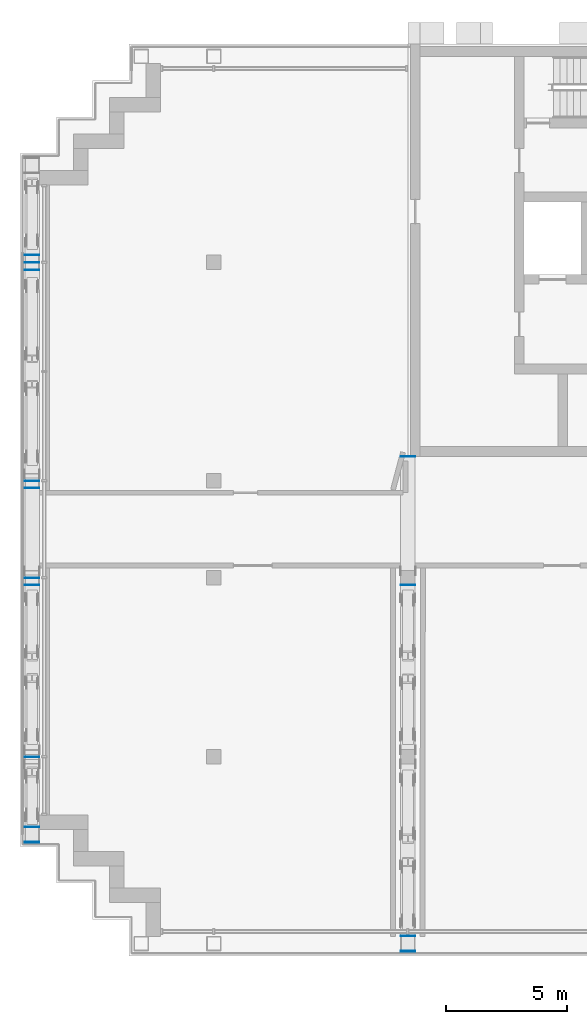
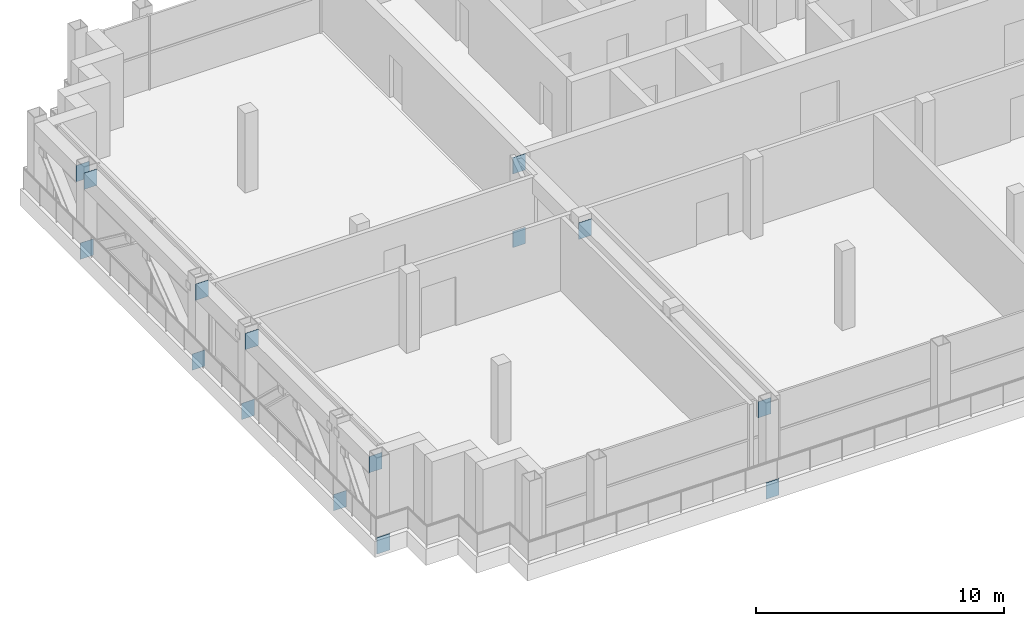
# One storey, part 10 of 21: 15 discrete accessories.
"""IFC4 building model written with IfcOpenShell, lengths in metres."""

from ifc_helpers import new_model, si_unit, direction, frame, origin, origin_2d, place, context, subcontext, project, spatial, rectangle, extrude, element, save


model = new_model("IFC4")

# Units and contexts
model_context = context("Model", 3, precision=1e-05, world=origin(), true_north=direction((0.0, 1.0)))
body_context = subcontext(model_context, "Body", "Model", "MODEL_VIEW")
ifc_project = project(units=[si_unit("LENGTHUNIT", "METRE"), si_unit("AREAUNIT", "SQUARE_METRE"), si_unit("VOLUMEUNIT", "CUBIC_METRE"), si_unit("PLANEANGLEUNIT", "RADIAN"), si_unit("MASSUNIT", "GRAM", prefix="KILO")], contexts=[model_context])

# Site, building, storey
site_placement = place(None, origin())
site = spatial("IfcSite", under=ifc_project, at=site_placement, CompositionType="ELEMENT")
building_placement = place(site_placement, origin())
building = spatial("IfcBuilding", under=site, at=building_placement, Name="Vidyagriha Tower", CompositionType="ELEMENT")
storey_placement = place(building_placement, frame((0.0, 0.0, 203.699951171875)))
storey = spatial("IfcBuildingStorey", under=building, at=storey_placement, Name="L52", CompositionType="ELEMENT", Elevation=203.699951171875)

# Discrete accessories
for number, where, z_axis, x_axis, name in (
    (1, (-29.5, -12.9150390625, -0.7998046875), (0.0, 0.0, 1.0), (0.0, -1.0, 0.0), "Chord end plate"),
    (2, (-14.0, -17.4150390625, -0.7998046875), (0.0, 0.0, 1.0), (0.0, -1.0, 0.0), "Chord end plate"),
):
    element("IfcDiscreteAccessory", number, at=place(storey_placement, frame(where, z_axis=z_axis, x_axis=x_axis)), inside=storey, Name=name, ObjectType="END PLATE", PredefinedType="USERDEFINED", context=body_context, shape_type="SweptSolid", body=[
        extrude(rectangle(XDim=0.030029296875, YDim=0.60009765625, at=origin_2d()), origin(), (0.0, 0.0, 1.0), 0.800048828125),
    ])
for number, where, z_axis, x_axis, name in (
    (3, (-29.5, -9.409912109375, -0.7998046875), (0.0, 0.0, 1.0), (0.0, 1.0, 0.0), "End plate ASTM A572 Grade 50 20mm"),
    (4, (-29.5, -12.290283203125, 2.81982421875), (0.0, 0.0, 1.0), (0.0, -1.0, 0.0), "End plate ASTM A572 Grade 50 20mm"),
    (5, (-29.5, -2.009765625, -0.7998046875), (0.0, 0.0, 1.0), (0.0, 1.0, 0.0), "End plate ASTM A572 Grade 50 20mm"),
    (6, (-29.5, -2.3095703125, 2.81982421875), (0.0, 0.0, 1.0), (0.0, 1.0, 0.0), "End plate ASTM A572 Grade 50 20mm"),
    (7, (-29.5, 1.990234375, -0.7998046875), (0.0, 0.0, 1.0), (0.0, 1.0, 0.0), "End plate ASTM A572 Grade 50 20mm"),
    (8, (-29.5, 1.69091796875, 2.81982421875), (0.0, 0.0, 1.0), (0.0, 1.0, 0.0), "End plate ASTM A572 Grade 50 20mm"),
    (9, (-29.5, 10.990234375, -0.7998046875), (0.0, 0.0, 1.0), (0.0, 1.0, 0.0), "End plate ASTM A572 Grade 50 20mm"),
    (10, (-29.5, 10.6904296875, 2.81982421875), (0.0, 0.0, 1.0), (0.0, 1.0, 0.0), "End plate ASTM A572 Grade 50 20mm"),
    (11, (-29.5, 11.309814453125, 2.81982421875), (0.0, 0.0, 1.0), (0.0, -1.0, 0.0), "End plate ASTM A572 Grade 50 20mm"),
    (12, (-14.0, -16.790283203125, 2.81982421875), (0.0, 0.0, 1.0), (0.0, -1.0, 0.0), "End plate ASTM A572 Grade 50 20mm"),
    (13, (-14.0, -2.3095703125, 2.81982421875), (0.0, 0.0, 1.0), (0.0, 1.0, 0.0), "End plate ASTM A572 Grade 50 20mm"),
    (14, (-14.0, 2.990234375, -0.7998046875), (0.0, 0.0, 1.0), (0.0, 1.0, 0.0), "End plate ASTM A572 Grade 50 20mm"),
    (15, (-14.0, 2.990478515625, 2.81982421875), (0.0, 0.0, 1.0), (0.0, 1.0, 0.0), "End plate ASTM A572 Grade 50 20mm"),
):
    element("IfcDiscreteAccessory", number, at=place(storey_placement, frame(where, z_axis=z_axis, x_axis=x_axis)), inside=storey, Name=name, ObjectType="END PLATE", PredefinedType="USERDEFINED", context=body_context, shape_type="SweptSolid", body=[
        extrude(rectangle(XDim=0.02001953125, YDim=0.60009765625, at=origin_2d()), origin(), (0.0, 0.0, 1.0), 0.800048828125),
    ])

save(model, "model.ifc")
